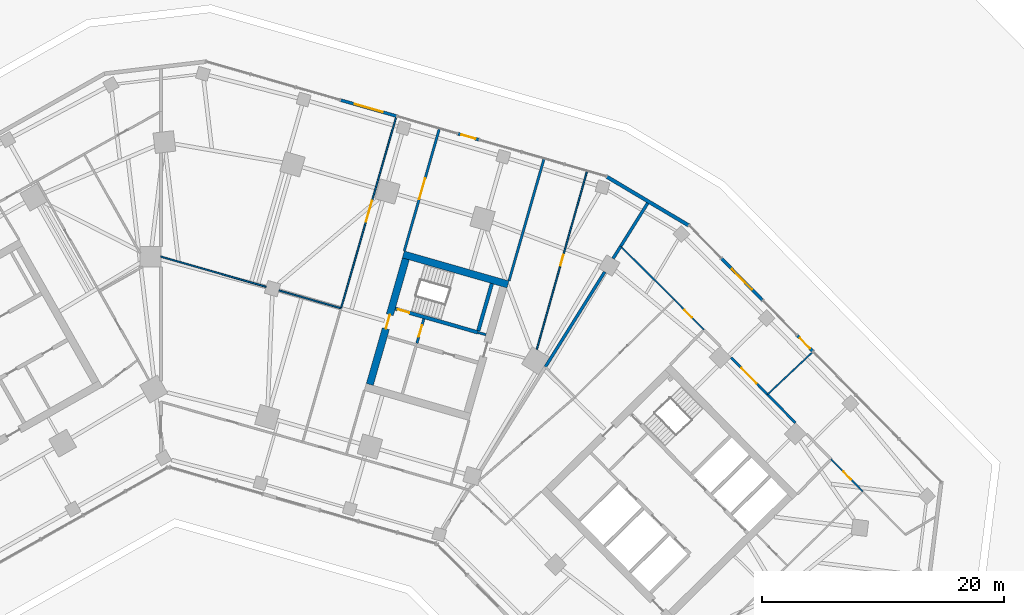
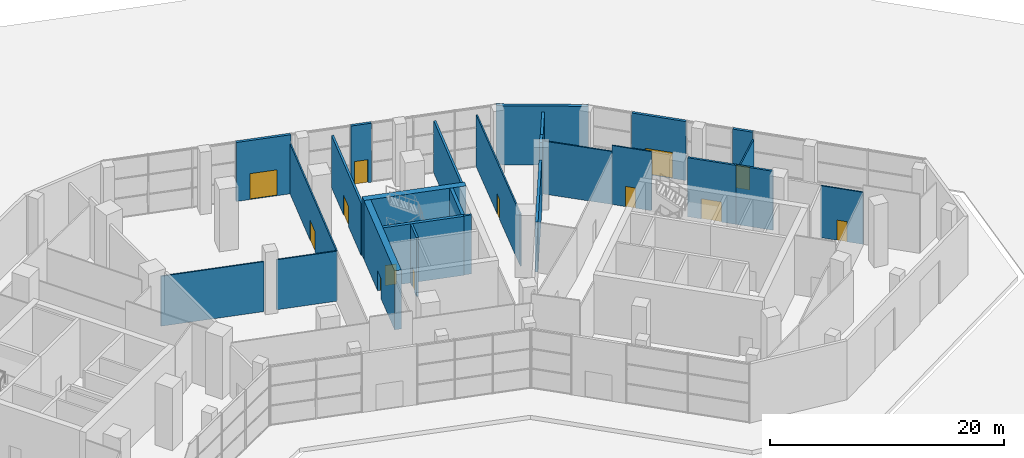
# One storey, part 17 of 22: 26 walls, 13 doors, 13 openings.
"""IFC4 building model written with IfcOpenShell, lengths in metres."""

from ifc_helpers import new_model, si_unit, direction, frame, frame_2d, origin, place, context, subcontext, project, spatial, rectangle, extrude, material, layer, layer_set, type_object, element, fill, save


model = new_model("IFC4")

# Units and contexts
model_context = context("Model", 3, precision=1e-05, world=origin(), true_north=direction((0.0, 1.0)))
body_context = subcontext(model_context, "Body", "Model", "MODEL_VIEW")
ifc_project = project(units=[si_unit("LENGTHUNIT", "METRE"), si_unit("AREAUNIT", "SQUARE_METRE"), si_unit("VOLUMEUNIT", "CUBIC_METRE"), si_unit("PLANEANGLEUNIT", "RADIAN"), si_unit("MASSUNIT", "GRAM", prefix="KILO")], contexts=[model_context])

# Site, building, storey
site_placement = place(None, origin())
site = spatial("IfcSite", under=ifc_project, at=site_placement, CompositionType="ELEMENT")
building_placement = place(site_placement, origin())
building = spatial("IfcBuilding", under=site, at=building_placement, Name="Binnacle Exchange Tower", CompositionType="ELEMENT")
storey_placement = place(building_placement, origin())
storey = spatial("IfcBuildingStorey", under=building, at=storey_placement, Name="L00", CompositionType="ELEMENT", Elevation=0.0)

# Wall
ifc_material_1 = material(Name="Concrete C70/85", Category="concrete")
ifc_layer_1 = layer(ifc_material_1, 0.60009765625)
ifc_layer_set_1 = layer_set([ifc_layer_1], Name="Core wall - outer 600")
wall_type_1 = type_object("IfcWallType", Name="Core wall - outer 600", PredefinedType="SOLIDWALL", material=ifc_layer_set_1)
wall_1_placement = place(storey_placement, frame((20.052734375, 60.1796875, 0.0), z_axis=(0.0, 0.0, 1.0), x_axis=(0.96126248289, -0.275634611374, 0.0)))
element("IfcWall", 1, at=wall_1_placement, inside=storey, type_object=wall_type_1, Name="Core wall CRWD6", PredefinedType="SOLIDWALL", context=body_context, shape_type="SweptSolid", body=[
    extrude(rectangle(XDim=9.0, YDim=0.60009765625, at=frame_2d((4.5, 0.0))), origin(), (0.0, 0.0, 1.0), 6.14990234375),
])

# Wall, opening, door
wall_2_placement = place(storey_placement, frame((17.28173828125, 49.427001953125, 0.0), z_axis=(0.0, 0.0, 1.0), x_axis=(0.275631631629, 0.961263337304, 0.0)))
wall_2 = element("IfcWall", 2, at=wall_2_placement, inside=storey, type_object=wall_type_1, Name="Core wall CRWD7", PredefinedType="SOLIDWALL", context=body_context, shape_type="SweptSolid", body=[
    extrude(rectangle(XDim=10.800048828125, YDim=0.60009765625, at=frame_2d((5.39990234375, 0.0))), origin(), (0.0, 0.0, 1.0), 6.14990234375),
])
opening_1_placement = place(wall_2_placement, frame((4.800048828125, 0.0, 0.0)))
opening_1 = element("IfcOpeningElement", 3, at=opening_1_placement, cuts=wall_2, Name="Opening DD5", PredefinedType="OPENING", context=body_context, shape_type="SweptSolid", body=[
    extrude(rectangle(XDim=1.199951171875, YDim=2.10009765625, at=frame_2d((0.60009765625, 1.050048828125))), frame((0.0, 0.31005859375, 0.0), z_axis=(0.0, -1.0, 0.0), x_axis=(1.0, 0.0, 0.0)), (0.0, 0.0, 1.0), 0.6201171875),
])
ifc_material_2 = material(Name="Steel door leaf", Category="steel")
door_type_1 = type_object("IfcDoorType", Name="Fire door 1200", OperationType="NOTDEFINED", PredefinedType="DOOR", material=ifc_material_2)
door_1_placement = place(opening_1_placement, origin())
door_1 = element("IfcDoor", 4, at=door_1_placement, inside=storey, type_object=door_type_1, Name="Vestibule exit door VEST-W", OperationType="SINGLE_SWING_RIGHT", OverallHeight=2.10009765625, OverallWidth=1.199951171875, PredefinedType="DOOR", context=body_context, shape_type="SweptSolid", body=[
    extrude(rectangle(XDim=1.199951171875, YDim=2.10009765625, at=frame_2d((0.60009765625, 1.050048828125))), frame((0.0, 0.02490234375, 0.0), z_axis=(0.0, -1.0, 0.0), x_axis=(1.0, 0.0, 0.0)), (0.0, 0.0, 1.0), 0.050048828125),
])
fill(opening_1, door_1)

ifc_layer_2 = layer(ifc_material_1, 0.300048828125)
ifc_layer_set_2 = layer_set([ifc_layer_2], Name="Core wall - stair 300")
wall_type_2 = type_object("IfcWallType", Name="Core wall - stair 300", PredefinedType="SOLIDWALL", material=ifc_layer_set_2)
wall_3_placement = place(storey_placement, frame((19.38916015625, 55.688720703125, 0.0), z_axis=(0.0, 0.0, 1.0), x_axis=(0.961261397636, -0.275638396117, 0.0)))
wall_3 = element("IfcWall", 5, at=wall_3_placement, inside=storey, type_object=wall_type_2, Name="Core wall CRWD4", PredefinedType="SOLIDWALL", context=body_context, shape_type="SweptSolid", body=[
    extrude(rectangle(XDim=7.10009765625, YDim=0.300048828125, at=frame_2d((3.550048828125, 0.0))), origin(), (0.0, 0.0, 1.0), 6.14990234375),
])
opening_2_placement = place(wall_3_placement, frame((0.199951171875, 0.0, 0.0)))
opening_2 = element("IfcOpeningElement", 6, at=opening_2_placement, cuts=wall_3, Name="Opening DD1", PredefinedType="OPENING", context=body_context, shape_type="SweptSolid", body=[
    extrude(rectangle(XDim=1.0, YDim=2.10009765625, at=frame_2d((0.5, 1.050048828125))), frame((0.0, 0.159912109375, 0.0), z_axis=(0.0, -1.0, 0.0), x_axis=(1.0, 0.0, 0.0)), (0.0, 0.0, 1.0), 0.320068359375),
])
door_type_2 = type_object("IfcDoorType", Name="Fire door 1000", OperationType="NOTDEFINED", PredefinedType="DOOR", material=ifc_material_2)
door_2_placement = place(opening_2_placement, origin())
door_2 = element("IfcDoor", 7, at=door_2_placement, inside=storey, type_object=door_type_2, Name="Stair door ST-D1", OperationType="SINGLE_SWING_LEFT", OverallHeight=2.10009765625, OverallWidth=1.0, PredefinedType="DOOR", context=body_context, shape_type="SweptSolid", body=[
    extrude(rectangle(XDim=1.0, YDim=2.10009765625, at=frame_2d((0.5, 1.050048828125))), frame((0.0, 0.02490234375, 0.0), z_axis=(0.0, -1.0, 0.0), x_axis=(1.0, 0.0, 0.0)), (0.0, 0.0, 1.0), 0.050048828125),
])
fill(opening_2, door_2)

# Wall
wall_4_placement = place(storey_placement, frame((26.255615234375, 53.875732421875, 0.0), z_axis=(0.0, 0.0, 1.0), x_axis=(0.275612739511, 0.961268754209, 0.0)))
element("IfcWall", 8, at=wall_4_placement, inside=storey, type_object=wall_type_2, Name="Core wall CRWD11", PredefinedType="SOLIDWALL", context=body_context, shape_type="SweptSolid", body=[
    extrude(rectangle(XDim=4.0498046875, YDim=0.300048828125, at=frame_2d((2.02490234375, 0.0))), origin(), (0.0, 0.0, 1.0), 6.14990234375),
])

# Wall, opening, door
ifc_material_3 = material(Name="Bronze aluminium cladding", Category="aluminium")
ifc_layer_3 = layer(ifc_material_3, 0.25)
ifc_layer_set_3 = layer_set([ifc_layer_3], Name="External wall - entrance portal 250")
wall_type_3 = type_object("IfcWallType", Name="External wall - entrance portal 250", PredefinedType="STANDARD", material=ifc_layer_set_3)
wall_5_placement = place(storey_placement, frame((24.576171875, 70.154296875, 0.0), z_axis=(0.0, 0.0, 1.0), x_axis=(0.961267609379, -0.275616732363, 0.0)))
wall_5 = element("IfcWall", 9, at=wall_5_placement, inside=storey, type_object=wall_type_3, Name="External wall EW-P00P1 portal", PredefinedType="STANDARD", context=body_context, shape_type="SweptSolid", body=[
    extrude(rectangle(XDim=1.800048828125, YDim=0.25, at=frame_2d((0.89990234375, 0.0))), origin(), (0.0, 0.0, 1.0), 6.14990234375),
])
opening_3_placement = place(wall_5_placement, frame((0.300048828125, 0.0, 0.0)))
opening_3 = element("IfcOpeningElement", 10, at=opening_3_placement, cuts=wall_5, Name="Opening D-FS01-01", PredefinedType="OPENING", context=body_context, shape_type="SweptSolid", body=[
    extrude(rectangle(XDim=1.199951171875, YDim=2.39990234375, at=frame_2d((0.60009765625, 1.199951171875))), frame((0.0, 0.135009765625, 0.0), z_axis=(0.0, -1.0, 0.0), x_axis=(1.0, 0.0, 0.0)), (0.0, 0.0, 1.0), 0.27001953125),
])
ifc_material_4 = material(Name="Bronze anodised aluminium frame", Category="aluminium")
door_type_3 = type_object("IfcDoorType", Name="DS DOOR 1200x2400", OperationType="SINGLE_SWING_LEFT", PredefinedType="DOOR", material=ifc_material_4)
door_3_placement = place(opening_3_placement, origin())
door_3 = element("IfcDoor", 11, at=door_3_placement, inside=storey, type_object=door_type_3, Name="Door D-FS01-01 L00", OperationType="SINGLE_SWING_LEFT", OverallHeight=2.39990234375, OverallWidth=1.199951171875, PredefinedType="DOOR", context=body_context, shape_type="SweptSolid", body=[
    extrude(rectangle(XDim=1.199951171875, YDim=2.39990234375, at=frame_2d((0.60009765625, 1.199951171875))), frame((0.0, 0.02490234375, 0.0), z_axis=(0.0, -1.0, 0.0), x_axis=(1.0, 0.0, 0.0)), (0.0, 0.0, 1.0), 0.050048828125),
])
fill(opening_3, door_3)

wall_6_placement = place(storey_placement, frame((14.880615234375, 72.9345703125, 0.0), z_axis=(0.0, 0.0, 1.0), x_axis=(0.961254793179, -0.275661427462, 0.0)))
wall_6 = element("IfcWall", 12, at=wall_6_placement, inside=storey, type_object=wall_type_3, Name="External wall EW-P00P2 portal", PredefinedType="STANDARD", context=body_context, shape_type="SweptSolid", body=[
    extrude(rectangle(XDim=4.80029296875, YDim=0.25, at=frame_2d((2.400146484375, 0.0))), origin(), (0.0, 0.0, 1.0), 6.14990234375),
])
opening_4_placement = place(wall_6_placement, frame((1.199951171875, 0.0, 0.0)))
opening_4 = element("IfcOpeningElement", 13, at=opening_4_placement, cuts=wall_6, Name="Opening D-FS01-02", PredefinedType="OPENING", context=body_context, shape_type="SweptSolid", body=[
    extrude(rectangle(XDim=2.39990234375, YDim=2.699951171875, at=frame_2d((1.199951171875, 1.35009765625))), frame((0.0, 0.135009765625, 0.0), z_axis=(0.0, -1.0, 0.0), x_axis=(1.0, 0.0, 0.0)), (0.0, 0.0, 1.0), 0.27001953125),
])
door_type_4 = type_object("IfcDoorType", Name="DE DOOR 2400x2700", OperationType="DOUBLE_DOOR_SINGLE_SWING", PredefinedType="DOOR", material=ifc_material_4)
door_4_placement = place(opening_4_placement, origin())
door_4 = element("IfcDoor", 14, at=door_4_placement, inside=storey, type_object=door_type_4, Name="Door D-FS01-02 L00", OperationType="DOUBLE_DOOR_SINGLE_SWING", OverallHeight=2.699951171875, OverallWidth=2.39990234375, PredefinedType="DOOR", context=body_context, shape_type="SweptSolid", body=[
    extrude(rectangle(XDim=2.39990234375, YDim=2.699951171875, at=frame_2d((1.199951171875, 1.35009765625))), frame((0.0, 0.02490234375, 0.0), z_axis=(0.0, -1.0, 0.0), x_axis=(1.0, 0.0, 0.0)), (0.0, 0.0, 1.0), 0.050048828125),
])
fill(opening_4, door_4)

wall_7_placement = place(storey_placement, frame((52.62646484375, 53.4658203125, 0.0), z_axis=(0.0, 0.0, 1.0), x_axis=(0.700908925756, -0.71325078184, 0.0)))
wall_7 = element("IfcWall", 15, at=wall_7_placement, inside=storey, type_object=wall_type_3, Name="External wall EW-P12P1 portal", PredefinedType="STANDARD", context=body_context, shape_type="SweptSolid", body=[
    extrude(rectangle(XDim=1.800048828125, YDim=0.25, at=frame_2d((0.89990234375, 0.0))), origin(), (0.0, 0.0, 1.0), 6.14990234375),
])
opening_5_placement = place(wall_7_placement, frame((0.300048828125, 0.0, 0.0)))
opening_5 = element("IfcOpeningElement", 16, at=opening_5_placement, cuts=wall_7, Name="Opening D-FS01-11", PredefinedType="OPENING", context=body_context, shape_type="SweptSolid", body=[
    extrude(rectangle(XDim=1.199951171875, YDim=2.39990234375, at=frame_2d((0.60009765625, 1.199951171875))), frame((0.0, 0.135009765625, 0.0), z_axis=(0.0, -1.0, 0.0), x_axis=(1.0, 0.0, 0.0)), (0.0, 0.0, 1.0), 0.27001953125),
])
door_5_placement = place(opening_5_placement, origin())
door_5 = element("IfcDoor", 17, at=door_5_placement, inside=storey, type_object=door_type_3, Name="Door D-FS01-11 L00", OperationType="SINGLE_SWING_LEFT", OverallHeight=2.39990234375, OverallWidth=1.199951171875, PredefinedType="DOOR", context=body_context, shape_type="SweptSolid", body=[
    extrude(rectangle(XDim=1.199951171875, YDim=2.39990234375, at=frame_2d((0.60009765625, 1.199951171875))), frame((0.0, 0.02490234375, 0.0), z_axis=(0.0, -1.0, 0.0), x_axis=(1.0, 0.0, 0.0)), (0.0, 0.0, 1.0), 0.050048828125),
])
fill(opening_5, door_5)

wall_8_placement = place(storey_placement, frame((46.373046875, 59.82958984375, 0.0), z_axis=(0.0, 0.0, 1.0), x_axis=(0.700899852739, -0.713259697747, 0.0)))
wall_8 = element("IfcWall", 18, at=wall_8_placement, inside=storey, type_object=wall_type_3, Name="External wall EW-P12P2 portal", PredefinedType="STANDARD", context=body_context, shape_type="SweptSolid", body=[
    extrude(rectangle(XDim=4.7998046875, YDim=0.25, at=frame_2d((2.39990234375, 0.0))), origin(), (0.0, 0.0, 1.0), 6.14990234375),
])
opening_6_placement = place(wall_8_placement, frame((1.199951171875, 0.0, 0.0)))
opening_6 = element("IfcOpeningElement", 19, at=opening_6_placement, cuts=wall_8, Name="Opening D-FS01-12", PredefinedType="OPENING", context=body_context, shape_type="SweptSolid", body=[
    extrude(rectangle(XDim=2.39990234375, YDim=2.699951171875, at=frame_2d((1.199951171875, 1.35009765625))), frame((0.0, 0.135009765625, 0.0), z_axis=(0.0, -1.0, 0.0), x_axis=(1.0, 0.0, 0.0)), (0.0, 0.0, 1.0), 0.27001953125),
])
door_6_placement = place(opening_6_placement, origin())
door_6 = element("IfcDoor", 20, at=door_6_placement, inside=storey, type_object=door_type_4, Name="Door D-FS01-12 L00", OperationType="DOUBLE_DOOR_SINGLE_SWING", OverallHeight=2.699951171875, OverallWidth=2.39990234375, PredefinedType="DOOR", context=body_context, shape_type="SweptSolid", body=[
    extrude(rectangle(XDim=2.39990234375, YDim=2.699951171875, at=frame_2d((1.199951171875, 1.35009765625))), frame((0.0, 0.02490234375, 0.0), z_axis=(0.0, -1.0, 0.0), x_axis=(1.0, 0.0, 0.0)), (0.0, 0.0, 1.0), 0.050048828125),
])
fill(opening_6, door_6)

# Wall
ifc_material_5 = material(Name="Bronze aluminium louvre", Category="aluminium")
ifc_layer_4 = layer(ifc_material_5, 0.300048828125)
ifc_layer_set_4 = layer_set([ifc_layer_4], Name="External wall - podium louvre 300")
wall_type_4 = type_object("IfcWallType", Name="External wall - podium louvre 300", PredefinedType="STANDARD", material=ifc_layer_set_4)
wall_9_placement = place(storey_placement, frame((36.85791015625, 66.61181640625, 0.0), z_axis=(0.0, 0.0, 1.0), x_axis=(0.85940790562, -0.51129057468, 0.0)))
element("IfcWall", 21, at=wall_9_placement, inside=storey, type_object=wall_type_4, Name="External wall EW-P13 L00", PredefinedType="STANDARD", context=body_context, shape_type="SweptSolid", body=[
    extrude(rectangle(XDim=7.906005859375, YDim=0.300048828125, at=frame_2d((3.953125, 0.0))), origin(), (0.0, 0.0, 1.0), 6.14990234375),
])

# Wall, opening, door
ifc_material_6 = material(Name="Masonry block wall", Category="masonry")
ifc_layer_5 = layer(ifc_material_6, 0.199951171875)
ifc_layer_set_5 = layer_set([ifc_layer_5], Name="Fire wall - block 200")
wall_type_5 = type_object("IfcWallType", Name="Fire wall - block 200", PredefinedType="PARTITIONING", material=ifc_layer_set_5)
wall_10_placement = place(storey_placement, frame((20.135986328125, 60.468017578125, 0.0), z_axis=(0.0, 0.0, 1.0), x_axis=(0.275610651454, 0.96126935289, 0.0)))
wall_10 = element("IfcWall", 22, at=wall_10_placement, inside=storey, type_object=wall_type_5, Name="Partition W52", PredefinedType="PARTITIONING", context=body_context, shape_type="SweptSolid", body=[
    extrude(rectangle(XDim=10.474853515625, YDim=0.199951171875, at=frame_2d((5.2373046875, 0.0))), origin(), (0.0, 0.0, 1.0), 5.429931640625),
])
opening_7_placement = place(wall_10_placement, frame((4.449951171875, 0.0, 0.0)))
opening_7 = element("IfcOpeningElement", 23, at=opening_7_placement, cuts=wall_10, Name="Opening DL00-21", PredefinedType="OPENING", context=body_context, shape_type="SweptSolid", body=[
    extrude(rectangle(XDim=1.800048828125, YDim=2.10009765625, at=frame_2d((0.89990234375, 1.050048828125))), frame((0.0, 0.10986328125, 0.0), z_axis=(0.0, -1.0, 0.0), x_axis=(1.0, 0.0, 0.0)), (0.0, 0.0, 1.0), 0.219970703125),
])
door_type_5 = type_object("IfcDoorType", Name="Fire door 1800", OperationType="NOTDEFINED", PredefinedType="DOOR", material=ifc_material_2)
door_7_placement = place(opening_7_placement, frame((1.800048828125, 0.0, 0.0), z_axis=(0.0, 0.0, 1.0), x_axis=(-1.0, 0.0, 0.0)))
door_7 = element("IfcDoor", 24, at=door_7_placement, inside=storey, type_object=door_type_5, Name="Door DL00-21", OperationType="DOUBLE_DOOR_SINGLE_SWING", OverallHeight=2.10009765625, OverallWidth=1.800048828125, PredefinedType="DOOR", context=body_context, shape_type="SweptSolid", body=[
    extrude(rectangle(XDim=1.800048828125, YDim=2.10009765625, at=frame_2d((0.89990234375, 1.050048828125))), frame((0.0, 0.02490234375, 0.0), z_axis=(0.0, -1.0, 0.0), x_axis=(1.0, 0.0, 0.0)), (0.0, 0.0, 1.0), 0.050048828125),
])
fill(opening_7, door_7)

# Wall
wall_11_placement = place(storey_placement, frame((28.787109375, 57.987060546875, 0.0), z_axis=(0.0, 0.0, 1.0), x_axis=(0.2756782675, 0.96124996376, 0.0)))
element("IfcWall", 25, at=wall_11_placement, inside=storey, type_object=wall_type_5, Name="Partition W61", PredefinedType="PARTITIONING", context=body_context, shape_type="SweptSolid", body=[
    extrude(rectangle(XDim=10.475830078125, YDim=0.199951171875, at=frame_2d((5.23779296875, 0.0))), origin(), (0.0, 0.0, 1.0), 5.422119140625),
])

# Wall, opening, door
wall_12_placement = place(storey_placement, frame((47.162109375, 51.654052734375, 0.0), z_axis=(0.0, 0.0, 1.0), x_axis=(0.700745868246, -0.713410981228, 0.0)))
wall_12 = element("IfcWall", 26, at=wall_12_placement, inside=storey, type_object=wall_type_5, Name="Partition W75", PredefinedType="PARTITIONING", context=body_context, shape_type="SweptSolid", body=[
    extrude(rectangle(XDim=4.279296875, YDim=0.199951171875, at=frame_2d((2.1396484375, 0.0))), origin(), (0.0, 0.0, 1.0), 6.14990234375),
])
opening_8_placement = place(wall_12_placement, frame((1.199951171875, 0.0, 0.0)))
opening_8 = element("IfcOpeningElement", 27, at=opening_8_placement, cuts=wall_12, Name="Opening DL00-31", PredefinedType="OPENING", context=body_context, shape_type="SweptSolid", body=[
    extrude(rectangle(XDim=1.800048828125, YDim=2.10009765625, at=frame_2d((0.89990234375, 1.050048828125))), frame((0.0, 0.10986328125, 0.0), z_axis=(0.0, -1.0, 0.0), x_axis=(1.0, 0.0, 0.0)), (0.0, 0.0, 1.0), 0.219970703125),
])
door_8_placement = place(opening_8_placement, frame((1.800048828125, 0.0, 0.0), z_axis=(0.0, 0.0, 1.0), x_axis=(-1.0, 0.0, 0.0)))
door_8 = element("IfcDoor", 28, at=door_8_placement, inside=storey, type_object=door_type_5, Name="Door DL00-31", OperationType="DOUBLE_DOOR_SINGLE_SWING", OverallHeight=2.10009765625, OverallWidth=1.800048828125, PredefinedType="DOOR", context=body_context, shape_type="SweptSolid", body=[
    extrude(rectangle(XDim=1.800048828125, YDim=2.10009765625, at=frame_2d((0.89990234375, 1.050048828125))), frame((0.0, 0.02490234375, 0.0), z_axis=(0.0, -1.0, 0.0), x_axis=(1.0, 0.0, 0.0)), (0.0, 0.0, 1.0), 0.050048828125),
])
fill(opening_8, door_8)

# Walls
wall_13_placement = place(storey_placement, frame((50.160888671875, 48.60107421875, 0.0), z_axis=(0.0, 0.0, 1.0), x_axis=(0.701000458272, -0.713160821626, 0.0)))
element("IfcWall", 29, at=wall_13_placement, inside=storey, type_object=wall_type_5, Name="Partition W78", PredefinedType="PARTITIONING", context=body_context, shape_type="SweptSolid", body=[
    extrude(rectangle(XDim=3.29248046875, YDim=0.199951171875, at=frame_2d((1.646240234375, 0.0))), origin(), (0.0, 0.0, 1.0), 6.14990234375),
])
ifc_material_7 = material(Name="Concrete fire wall C30/37", Category="concrete")
ifc_layer_6 = layer(ifc_material_7, 0.25)
ifc_layer_set_6 = layer_set([ifc_layer_6], Name="Fire wall - compartment 250")
wall_type_6 = type_object("IfcWallType", Name="Fire wall - compartment 250", PredefinedType="PARTITIONING", material=ifc_layer_set_6)
wall_14_placement = place(storey_placement, frame((31.794921875, 50.883056640625, 0.0), z_axis=(0.0, 0.0, 1.0), x_axis=(0.530015532415, 0.847987933522, 0.0)))
element("IfcWall", 30, at=wall_14_placement, inside=storey, type_object=wall_type_6, Name="Fire Wall W64", PredefinedType="PARTITIONING", context=body_context, shape_type="SweptSolid", body=[
    extrude(rectangle(XDim=9.25830078125, YDim=0.25, at=frame_2d((4.629150390625, 0.0))), origin(), (0.0, 0.0, 1.0), 5.22998046875),
])
wall_15_placement = place(storey_placement, frame((37.39111328125, 59.8369140625, 0.0), z_axis=(0.0, 0.0, 1.0), x_axis=(0.529759350496, 0.848148000388, 0.0)))
element("IfcWall", 31, at=wall_15_placement, inside=storey, type_object=wall_type_6, Name="Fire Wall W66", PredefinedType="PARTITIONING", context=body_context, shape_type="SweptSolid", body=[
    extrude(rectangle(XDim=1.19091796875, YDim=0.25, at=frame_2d((0.595458984375, 0.0))), origin(), (0.0, 0.0, 1.0), 6.14990234375),
])
wall_16_placement = place(storey_placement, frame((38.02197265625, 60.846923828125, 0.0), z_axis=(0.0, 0.0, 1.0), x_axis=(0.52983736322, 0.848099268091, 0.0)))
element("IfcWall", 32, at=wall_16_placement, inside=storey, type_object=wall_type_6, Name="Fire Wall W68", PredefinedType="PARTITIONING", context=body_context, shape_type="SweptSolid", body=[
    extrude(rectangle(XDim=4.210693359375, YDim=0.25, at=frame_2d((2.10546875, 0.0))), origin(), (0.0, 0.0, 1.0), 5.52392578125),
])

# Wall, opening, door
ifc_layer_7 = layer(ifc_material_6, 0.199951171875)
ifc_layer_set_7 = layer_set([ifc_layer_7], Name="Fire wall - vestibule 200")
wall_type_7 = type_object("IfcWallType", Name="Fire wall - vestibule 200", PredefinedType="PARTITIONING", material=ifc_layer_set_7)
wall_17_placement = place(storey_placement, frame((21.172119140625, 52.836669921875, 0.0), z_axis=(0.0, 0.0, 1.0), x_axis=(0.275657676022, 0.961255868981, 0.0)))
wall_17 = element("IfcWall", 33, at=wall_17_placement, inside=storey, type_object=wall_type_7, Name="Core wall CRWD9", PredefinedType="PARTITIONING", context=body_context, shape_type="SweptSolid", body=[
    extrude(rectangle(XDim=2.099853515625, YDim=0.199951171875, at=frame_2d((1.0498046875, 0.0))), origin(), (0.0, 0.0, 1.0), 6.14990234375),
])
opening_9_placement = place(wall_17_placement, frame((0.550048828125, 0.0, 0.0)))
opening_9 = element("IfcOpeningElement", 34, at=opening_9_placement, cuts=wall_17, Name="Opening DD3", PredefinedType="OPENING", context=body_context, shape_type="SweptSolid", body=[
    extrude(rectangle(XDim=1.0, YDim=2.10009765625, at=frame_2d((0.5, 1.050048828125))), frame((0.0, 0.10986328125, 0.0), z_axis=(0.0, -1.0, 0.0), x_axis=(1.0, 0.0, 0.0)), (0.0, 0.0, 1.0), 0.219970703125),
])
door_9_placement = place(opening_9_placement, origin())
door_9 = element("IfcDoor", 35, at=door_9_placement, inside=storey, type_object=door_type_2, Name="Vestibule door VEST-W", OperationType="SINGLE_SWING_RIGHT", OverallHeight=2.10009765625, OverallWidth=1.0, PredefinedType="DOOR", context=body_context, shape_type="SweptSolid", body=[
    extrude(rectangle(XDim=1.0, YDim=2.10009765625, at=frame_2d((0.5, 1.050048828125))), frame((0.0, 0.02490234375, 0.0), z_axis=(0.0, -1.0, 0.0), x_axis=(1.0, 0.0, 0.0)), (0.0, 0.0, 1.0), 0.050048828125),
])
fill(opening_9, door_9)

# Walls
ifc_material_8 = material(Name="Gypsum partition")
ifc_layer_8 = layer(ifc_material_8, 0.125)
ifc_layer_set_8 = layer_set([ifc_layer_8], Name="Partition 125")
wall_type_8 = type_object("IfcWallType", Name="Partition 125", PredefinedType="PARTITIONING", material=ifc_layer_set_8)
wall_18_placement = place(storey_placement, frame((0.0, 60.0, 0.0), z_axis=(0.0, 0.0, 1.0), x_axis=(0.961263282922, -0.275631821288, 0.0)))
element("IfcWall", 36, at=wall_18_placement, inside=storey, type_object=wall_type_8, Name="Partition W42", PredefinedType="PARTITIONING", context=body_context, shape_type="SweptSolid", body=[
    extrude(rectangle(XDim=9.06298828125, YDim=0.125, at=frame_2d((4.531494140625, 0.0))), origin(), (0.0, 0.0, 1.0), 5.2119140625),
])
wall_19_placement = place(storey_placement, frame((9.77001953125, 57.198974609375, 0.0), z_axis=(0.0, 0.0, 1.0), x_axis=(0.961262835898, -0.275633380273, 0.0)))
element("IfcWall", 37, at=wall_19_placement, inside=storey, type_object=wall_type_8, Name="Partition W46", PredefinedType="PARTITIONING", context=body_context, shape_type="SweptSolid", body=[
    extrude(rectangle(XDim=5.336669921875, YDim=0.125, at=frame_2d((2.66845703125, 0.0))), origin(), (0.0, 0.0, 1.0), 5.2119140625),
])

# Wall, opening, door
wall_20_placement = place(storey_placement, frame((14.89990234375, 55.72802734375, 0.0), z_axis=(0.0, 0.0, 1.0), x_axis=(0.277168807321, 0.960821238446, 0.0)))
wall_20 = element("IfcWall", 38, at=wall_20_placement, inside=storey, type_object=wall_type_8, Name="Partition W49", PredefinedType="PARTITIONING", context=body_context, shape_type="SweptSolid", body=[
    extrude(rectangle(XDim=16.474365234375, YDim=0.125, at=frame_2d((8.2373046875, 0.0))), origin(), (0.0, 0.0, 1.0), 5.2119140625),
])
opening_10_placement = place(wall_20_placement, frame((7.449951171875, 0.0, 0.0)))
opening_10 = element("IfcOpeningElement", 39, at=opening_10_placement, cuts=wall_20, Name="Opening DL00-18", PredefinedType="OPENING", context=body_context, shape_type="SweptSolid", body=[
    extrude(rectangle(XDim=1.800048828125, YDim=2.10009765625, at=frame_2d((0.89990234375, 1.050048828125))), frame((0.0, 0.072509765625, 0.0), z_axis=(0.0, -1.0, 0.0), x_axis=(1.0, 0.0, 0.0)), (0.0, 0.0, 1.0), 0.14501953125),
])
ifc_material_9 = material(Name="Timber door leaf", Category="wood")
door_type_6 = type_object("IfcDoorType", Name="Double door 1800", OperationType="NOTDEFINED", PredefinedType="DOOR", material=ifc_material_9)
door_10_placement = place(opening_10_placement, origin())
door_10 = element("IfcDoor", 40, at=door_10_placement, inside=storey, type_object=door_type_6, Name="Door DL00-18", OperationType="DOUBLE_DOOR_SINGLE_SWING", OverallHeight=2.10009765625, OverallWidth=1.800048828125, PredefinedType="DOOR", context=body_context, shape_type="SweptSolid", body=[
    extrude(rectangle(XDim=1.800048828125, YDim=2.10009765625, at=frame_2d((0.89990234375, 1.050048828125))), frame((0.0, 0.02490234375, 0.0), z_axis=(0.0, -1.0, 0.0), x_axis=(1.0, 0.0, 0.0)), (0.0, 0.0, 1.0), 0.050048828125),
])
fill(opening_10, door_10)

wall_21_placement = place(storey_placement, frame((31.083984375, 52.3291015625, 0.0), z_axis=(0.0, 0.0, 1.0), x_axis=(0.271372887947, 0.962474288325, 0.0)))
wall_21 = element("IfcWall", 41, at=wall_21_placement, inside=storey, type_object=wall_type_8, Name="Partition W62", PredefinedType="PARTITIONING", context=body_context, shape_type="SweptSolid", body=[
    extrude(rectangle(XDim=15.281494140625, YDim=0.125, at=frame_2d((7.640625, 0.0))), origin(), (0.0, 0.0, 1.0), 5.422119140625),
])
opening_11_placement = place(wall_21_placement, frame((7.199951171875, 0.0, 0.0)))
opening_11 = element("IfcOpeningElement", 42, at=opening_11_placement, cuts=wall_21, Name="Opening DL00-20", PredefinedType="OPENING", context=body_context, shape_type="SweptSolid", body=[
    extrude(rectangle(XDim=0.89990234375, YDim=2.10009765625, at=frame_2d((0.449951171875, 1.050048828125))), frame((0.0, 0.072509765625, 0.0), z_axis=(0.0, -1.0, 0.0), x_axis=(1.0, 0.0, 0.0)), (0.0, 0.0, 1.0), 0.14501953125),
])
door_type_7 = type_object("IfcDoorType", Name="Door 900", OperationType="NOTDEFINED", PredefinedType="DOOR", material=ifc_material_9)
door_11_placement = place(opening_11_placement, frame((0.89990234375, 0.0, 0.0), z_axis=(0.0, 0.0, 1.0), x_axis=(-1.0, 0.0, 0.0)))
door_11 = element("IfcDoor", 43, at=door_11_placement, inside=storey, type_object=door_type_7, Name="Door DL00-20", OperationType="SINGLE_SWING_LEFT", OverallHeight=2.10009765625, OverallWidth=0.89990234375, PredefinedType="DOOR", context=body_context, shape_type="SweptSolid", body=[
    extrude(rectangle(XDim=0.89990234375, YDim=2.10009765625, at=frame_2d((0.449951171875, 1.050048828125))), frame((0.0, 0.02490234375, 0.0), z_axis=(0.0, -1.0, 0.0), x_axis=(1.0, 0.0, 0.0)), (0.0, 0.0, 1.0), 0.050048828125),
])
fill(opening_11, door_11)

# Wall
wall_22_placement = place(storey_placement, frame((38.02197265625, 60.846923828125, 0.0), z_axis=(0.0, 0.0, 1.0), x_axis=(0.709429785506, -0.704776120081, 0.0)))
element("IfcWall", 44, at=wall_22_placement, inside=storey, type_object=wall_type_8, Name="Partition W69", PredefinedType="PARTITIONING", context=body_context, shape_type="SweptSolid", body=[
    extrude(rectangle(XDim=6.242919921875, YDim=0.125, at=frame_2d((3.12158203125, 0.0))), origin(), (0.0, 0.0, 1.0), 5.51806640625),
])

# Wall, opening, door
wall_23_placement = place(storey_placement, frame((42.450927734375, 56.447021484375, 0.0), z_axis=(0.0, 0.0, 1.0), x_axis=(0.700941316052, -0.713218950569, 0.0)))
wall_23 = element("IfcWall", 45, at=wall_23_placement, inside=storey, type_object=wall_type_8, Name="Partition W71", PredefinedType="PARTITIONING", context=body_context, shape_type="SweptSolid", body=[
    extrude(rectangle(XDim=3.499755859375, YDim=0.125, at=frame_2d((1.75, 0.0))), origin(), (0.0, 0.0, 1.0), 6.14990234375),
])
opening_12_placement = place(wall_23_placement, frame((1.199951171875, 0.0, 0.0)))
opening_12 = element("IfcOpeningElement", 46, at=opening_12_placement, cuts=wall_23, Name="Opening DL00-25", PredefinedType="OPENING", context=body_context, shape_type="SweptSolid", body=[
    extrude(rectangle(XDim=0.89990234375, YDim=2.10009765625, at=frame_2d((0.449951171875, 1.050048828125))), frame((0.0, 0.072509765625, 0.0), z_axis=(0.0, -1.0, 0.0), x_axis=(1.0, 0.0, 0.0)), (0.0, 0.0, 1.0), 0.14501953125),
])
door_12_placement = place(opening_12_placement, origin())
door_12 = element("IfcDoor", 47, at=door_12_placement, inside=storey, type_object=door_type_7, Name="Door DL00-25", OperationType="SINGLE_SWING_LEFT", OverallHeight=2.10009765625, OverallWidth=0.89990234375, PredefinedType="DOOR", context=body_context, shape_type="SweptSolid", body=[
    extrude(rectangle(XDim=0.89990234375, YDim=2.10009765625, at=frame_2d((0.449951171875, 1.050048828125))), frame((0.0, 0.02490234375, 0.0), z_axis=(0.0, -1.0, 0.0), x_axis=(1.0, 0.0, 0.0)), (0.0, 0.0, 1.0), 0.050048828125),
])
fill(opening_12, door_12)

# Wall
wall_24_placement = place(storey_placement, frame((50.160888671875, 48.60107421875, 0.0), z_axis=(0.0, 0.0, 1.0), x_axis=(0.728418768666, 0.685132175172, 0.0)))
element("IfcWall", 48, at=wall_24_placement, inside=storey, type_object=wall_type_8, Name="Partition W79", PredefinedType="PARTITIONING", context=body_context, shape_type="SweptSolid", body=[
    extrude(rectangle(XDim=5.10986328125, YDim=0.125, at=frame_2d((2.554931640625, 0.0))), origin(), (0.0, 0.0, 1.0), 5.429931640625),
])

# Wall, opening, door
wall_25_placement = place(storey_placement, frame((55.41796875, 43.251953125, 0.0), z_axis=(0.0, 0.0, 1.0), x_axis=(0.700796183651, -0.71336155558, 0.0)))
wall_25 = element("IfcWall", 49, at=wall_25_placement, inside=storey, type_object=wall_type_8, Name="Partition W83", PredefinedType="PARTITIONING", context=body_context, shape_type="SweptSolid", body=[
    extrude(rectangle(XDim=3.75, YDim=0.125, at=frame_2d((1.875, 0.0))), origin(), (0.0, 0.0, 1.0), 5.422119140625),
])
opening_13_placement = place(wall_25_placement, frame((1.449951171875, 0.0, 0.0)))
opening_13 = element("IfcOpeningElement", 50, at=opening_13_placement, cuts=wall_25, Name="Opening DL00-26", PredefinedType="OPENING", context=body_context, shape_type="SweptSolid", body=[
    extrude(rectangle(XDim=0.89990234375, YDim=2.10009765625, at=frame_2d((0.449951171875, 1.050048828125))), frame((0.0, 0.072509765625, 0.0), z_axis=(0.0, -1.0, 0.0), x_axis=(1.0, 0.0, 0.0)), (0.0, 0.0, 1.0), 0.14501953125),
])
door_13_placement = place(opening_13_placement, origin())
door_13 = element("IfcDoor", 51, at=door_13_placement, inside=storey, type_object=door_type_7, Name="Door DL00-26", OperationType="SINGLE_SWING_RIGHT", OverallHeight=2.10009765625, OverallWidth=0.89990234375, PredefinedType="DOOR", context=body_context, shape_type="SweptSolid", body=[
    extrude(rectangle(XDim=0.89990234375, YDim=2.10009765625, at=frame_2d((0.449951171875, 1.050048828125))), frame((0.0, 0.02490234375, 0.0), z_axis=(0.0, -1.0, 0.0), x_axis=(1.0, 0.0, 0.0)), (0.0, 0.0, 1.0), 0.050048828125),
])
fill(opening_13, door_13)

# Wall
ifc_layer_9 = layer(ifc_material_6, 0.199951171875)
ifc_layer_set_9 = layer_set([ifc_layer_9], Name="Riser wall 200")
wall_type_9 = type_object("IfcWallType", Name="Riser wall 200", PredefinedType="SOLIDWALL", material=ifc_layer_set_9)
wall_26_placement = place(storey_placement, frame((26.214111328125, 53.731689453125, 0.0), z_axis=(0.0, 0.0, 1.0), x_axis=(0.96122076476, -0.27578005982, 0.0)))
element("IfcWall", 52, at=wall_26_placement, inside=storey, type_object=wall_type_9, Name="Core wall CRWD5", PredefinedType="SOLIDWALL", context=body_context, shape_type="SweptSolid", body=[
    extrude(rectangle(XDim=0.7001953125, YDim=0.199951171875, at=frame_2d((0.35009765625, 0.0))), origin(), (0.0, 0.0, 1.0), 6.14990234375),
])

save(model, "model.ifc")
